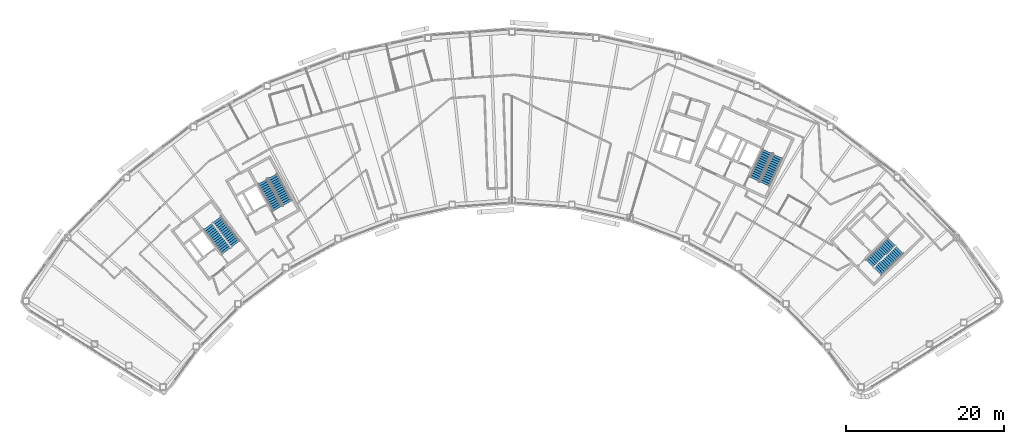
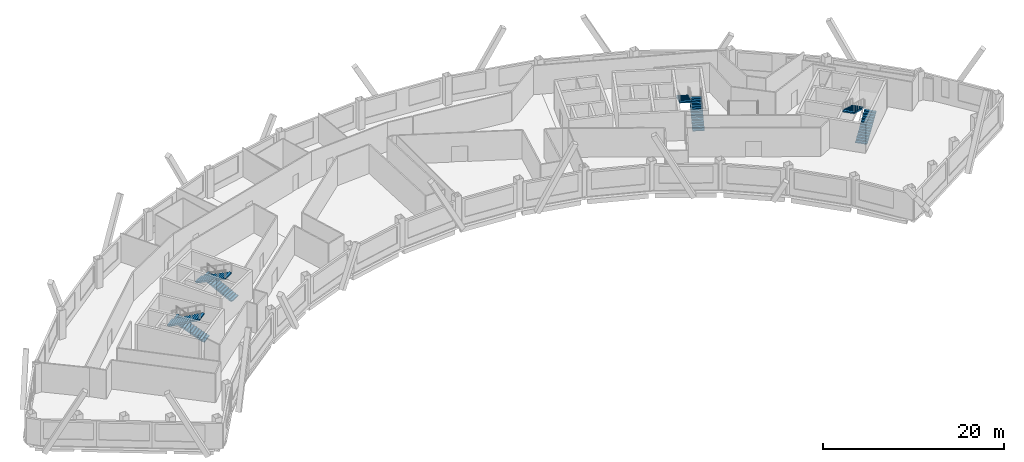
# One storey, part 10 of 12: 8 stair flights, 4 elements without a shape of their own.
"""IFC4 building model written with IfcOpenShell, lengths in metres."""

from ifc_helpers import new_model, si_unit, direction, frame, origin, place, context, subcontext, project, spatial, polyline, outline, extrude, material, type_object, element, aggregate, save


model = new_model("IFC4")

# Units and contexts
model_context = context("Model", 3, precision=1e-05, world=origin(), true_north=direction((0.0, 1.0)))
body_context = subcontext(model_context, "Body", "Model", "MODEL_VIEW")
ifc_project = project(units=[si_unit("LENGTHUNIT", "METRE"), si_unit("AREAUNIT", "SQUARE_METRE"), si_unit("VOLUMEUNIT", "CUBIC_METRE"), si_unit("PLANEANGLEUNIT", "RADIAN"), si_unit("MASSUNIT", "GRAM", prefix="KILO")], contexts=[model_context])

# Site, building, storey
site_placement = place(None, origin())
site = spatial("IfcSite", under=ifc_project, at=site_placement, CompositionType="ELEMENT")
building_placement = place(site_placement, origin())
building = spatial("IfcBuilding", under=site, at=building_placement, Name="Tuul Gate Civic Tower", CompositionType="ELEMENT")
storey_placement = place(building_placement, frame((0.0, 0.0, 336.5)))
storey = spatial("IfcBuildingStorey", under=building, at=storey_placement, Name="Level 76", CompositionType="ELEMENT", Elevation=336.5)

# Stair, stair flights
ifc_material_1 = material(Name="Concrete C40/50", Category="concrete")
stair_type = type_object("IfcStairType", Name="Exit stair", PredefinedType="HALF_TURN_STAIR", material=ifc_material_1)
stair_1_placement = place(storey_placement, origin())
stair_1 = element("IfcStair", 1, at=stair_1_placement, inside=storey, type_object=stair_type, Name="Level 76 ST-1", PredefinedType="HALF_TURN_STAIR")
ifc_material_2 = material(Name="Concrete C40/50", Category="concrete")
stair_flight_type = type_object("IfcStairFlightType", Name="Exit stair flight", PredefinedType="STRAIGHT", material=ifc_material_2)
stair_flight_1_placement = place(storey_placement, frame((-32.875244140625, -13.066650390625, 0.0), z_axis=(0.0, 0.0, 1.0), x_axis=(-0.605764474941, 0.795644016442, 0.0)))
stair_flight_1 = element("IfcStairFlight", 2, at=stair_flight_1_placement, type_object=stair_flight_type, Name="ST-1 flight 1", NumberOfRisers=14, NumberOfTreads=13, PredefinedType="STRAIGHT", RiserHeight=0.15, TreadLength=0.3, context=body_context, shape_type="SweptSolid", body=[
    extrude(outline(polyline([(0.0, 0.0), (0.0, 0.14990234375), (0.300048828125, 0.14990234375), (0.300048828125, 0.300048828125), (0.60009765625, 0.300048828125), (0.60009765625, 0.449951171875), (0.89990234375, 0.449951171875), (0.89990234375, 0.60009765625), (1.199951171875, 0.60009765625), (1.199951171875, 0.75), (1.5, 0.75), (1.5, 0.89990234375), (1.800048828125, 0.89990234375), (1.800048828125, 1.050048828125), (2.10009765625, 1.050048828125), (2.10009765625, 1.199951171875), (2.39990234375, 1.199951171875), (2.39990234375, 1.35009765625), (2.699951171875, 1.35009765625), (2.699951171875, 1.5), (3.0, 1.5), (3.0, 1.64990234375), (3.300048828125, 1.64990234375), (3.300048828125, 1.800048828125), (3.60009765625, 1.800048828125), (3.60009765625, 1.949951171875), (3.89990234375, 1.949951171875), (3.89990234375, 2.10009765625), (3.89990234375, 1.782470703125), (0.335205078125, 0.0), (0.0, 0.0)])), frame((0.0, 0.675048828125, 0.0), z_axis=(0.0, -1.0, 0.0), x_axis=(1.0, 0.0, 0.0)), (0.0, 0.0, 1.0), 1.35009765625),
])
stair_flight_2_placement = place(storey_placement, frame((-36.391357421875, -10.842041015625, 2.10009765625), z_axis=(0.0, 0.0, 1.0), x_axis=(0.605764474941, -0.795644016442, 0.0)))
stair_flight_2 = element("IfcStairFlight", 3, at=stair_flight_2_placement, type_object=stair_flight_type, Name="ST-1 flight 2", NumberOfRisers=14, NumberOfTreads=13, PredefinedType="STRAIGHT", RiserHeight=0.15, TreadLength=0.3, context=body_context, shape_type="SweptSolid", body=[
    extrude(outline(polyline([(0.0, 0.0), (0.0, 0.14990234375), (0.300048828125, 0.14990234375), (0.300048828125, 0.300048828125), (0.60009765625, 0.300048828125), (0.60009765625, 0.449951171875), (0.89990234375, 0.449951171875), (0.89990234375, 0.60009765625), (1.199951171875, 0.60009765625), (1.199951171875, 0.75), (1.5, 0.75), (1.5, 0.89990234375), (1.800048828125, 0.89990234375), (1.800048828125, 1.050048828125), (2.10009765625, 1.050048828125), (2.10009765625, 1.199951171875), (2.39990234375, 1.199951171875), (2.39990234375, 1.35009765625), (2.699951171875, 1.35009765625), (2.699951171875, 1.5), (3.0, 1.5), (3.0, 1.64990234375), (3.300048828125, 1.64990234375), (3.300048828125, 1.800048828125), (3.60009765625, 1.800048828125), (3.60009765625, 1.949951171875), (3.89990234375, 1.949951171875), (3.89990234375, 2.10009765625), (3.89990234375, 1.782470703125), (0.335205078125, 0.0), (0.0, 0.0)])), frame((0.0, 0.675048828125, 0.0), z_axis=(0.0, -1.0, 0.0), x_axis=(1.0, 0.0, 0.0)), (0.0, 0.0, 1.0), 1.35009765625),
])
aggregate(stair_1, [stair_flight_1, stair_flight_2])

stair_2_placement = place(storey_placement, origin())
stair_2 = element("IfcStair", 4, at=stair_2_placement, inside=storey, type_object=stair_type, Name="Level 76 ST-2", PredefinedType="HALF_TURN_STAIR")
stair_flight_3_placement = place(storey_placement, frame((-26.29150390625, -7.87646484375, 0.0), z_axis=(0.0, 0.0, 1.0), x_axis=(-0.484761763766, 0.874646232708, 0.0)))
stair_flight_3 = element("IfcStairFlight", 5, at=stair_flight_3_placement, type_object=stair_flight_type, Name="ST-2 flight 1", NumberOfRisers=14, NumberOfTreads=13, PredefinedType="STRAIGHT", RiserHeight=0.15, TreadLength=0.3, context=body_context, shape_type="SweptSolid", body=[
    extrude(outline(polyline([(0.0, 0.0), (0.0, 0.14990234375), (0.300048828125, 0.14990234375), (0.300048828125, 0.300048828125), (0.60009765625, 0.300048828125), (0.60009765625, 0.449951171875), (0.89990234375, 0.449951171875), (0.89990234375, 0.60009765625), (1.199951171875, 0.60009765625), (1.199951171875, 0.75), (1.5, 0.75), (1.5, 0.89990234375), (1.800048828125, 0.89990234375), (1.800048828125, 1.050048828125), (2.10009765625, 1.050048828125), (2.10009765625, 1.199951171875), (2.39990234375, 1.199951171875), (2.39990234375, 1.35009765625), (2.699951171875, 1.35009765625), (2.699951171875, 1.5), (3.0, 1.5), (3.0, 1.64990234375), (3.300048828125, 1.64990234375), (3.300048828125, 1.800048828125), (3.60009765625, 1.800048828125), (3.60009765625, 1.949951171875), (3.89990234375, 1.949951171875), (3.89990234375, 2.10009765625), (3.89990234375, 1.782470703125), (0.335205078125, 0.0), (0.0, 0.0)])), frame((0.0, 0.675048828125, 0.0), z_axis=(0.0, -1.0, 0.0), x_axis=(1.0, 0.0, 0.0)), (0.0, 0.0, 1.0), 1.35009765625),
])
stair_flight_4_placement = place(storey_placement, frame((-29.450439453125, -5.168212890625, 2.10009765625), z_axis=(0.0, 0.0, 1.0), x_axis=(0.484761763766, -0.874646232708, 0.0)))
stair_flight_4 = element("IfcStairFlight", 6, at=stair_flight_4_placement, type_object=stair_flight_type, Name="ST-2 flight 2", NumberOfRisers=14, NumberOfTreads=13, PredefinedType="STRAIGHT", RiserHeight=0.15, TreadLength=0.3, context=body_context, shape_type="SweptSolid", body=[
    extrude(outline(polyline([(0.0, 0.0), (0.0, 0.14990234375), (0.300048828125, 0.14990234375), (0.300048828125, 0.300048828125), (0.60009765625, 0.300048828125), (0.60009765625, 0.449951171875), (0.89990234375, 0.449951171875), (0.89990234375, 0.60009765625), (1.199951171875, 0.60009765625), (1.199951171875, 0.75), (1.5, 0.75), (1.5, 0.89990234375), (1.800048828125, 0.89990234375), (1.800048828125, 1.050048828125), (2.10009765625, 1.050048828125), (2.10009765625, 1.199951171875), (2.39990234375, 1.199951171875), (2.39990234375, 1.35009765625), (2.699951171875, 1.35009765625), (2.699951171875, 1.5), (3.0, 1.5), (3.0, 1.64990234375), (3.300048828125, 1.64990234375), (3.300048828125, 1.800048828125), (3.60009765625, 1.800048828125), (3.60009765625, 1.949951171875), (3.89990234375, 1.949951171875), (3.89990234375, 2.10009765625), (3.89990234375, 1.782470703125), (0.335205078125, 0.0), (0.0, 0.0)])), frame((0.0, 0.675048828125, 0.0), z_axis=(0.0, -1.0, 0.0), x_axis=(1.0, 0.0, 0.0)), (0.0, 0.0, 1.0), 1.35009765625),
])
aggregate(stair_2, [stair_flight_3, stair_flight_4])

stair_3_placement = place(storey_placement, origin())
stair_3 = element("IfcStair", 7, at=stair_3_placement, inside=storey, type_object=stair_type, Name="Level 76 ST-3", PredefinedType="HALF_TURN_STAIR")
stair_flight_5_placement = place(storey_placement, frame((48.61376953125, -16.581787109375, 0.0), z_axis=(0.0, 0.0, 1.0), x_axis=(0.714127290059, 0.700015866672, 0.0)))
stair_flight_5 = element("IfcStairFlight", 8, at=stair_flight_5_placement, type_object=stair_flight_type, Name="ST-3 flight 1", NumberOfRisers=14, NumberOfTreads=13, PredefinedType="STRAIGHT", RiserHeight=0.15, TreadLength=0.3, context=body_context, shape_type="SweptSolid", body=[
    extrude(outline(polyline([(0.0, 0.0), (0.0, 0.14990234375), (0.300048828125, 0.14990234375), (0.300048828125, 0.300048828125), (0.60009765625, 0.300048828125), (0.60009765625, 0.449951171875), (0.89990234375, 0.449951171875), (0.89990234375, 0.60009765625), (1.199951171875, 0.60009765625), (1.199951171875, 0.75), (1.5, 0.75), (1.5, 0.89990234375), (1.800048828125, 0.89990234375), (1.800048828125, 1.050048828125), (2.10009765625, 1.050048828125), (2.10009765625, 1.199951171875), (2.39990234375, 1.199951171875), (2.39990234375, 1.35009765625), (2.699951171875, 1.35009765625), (2.699951171875, 1.5), (3.0, 1.5), (3.0, 1.64990234375), (3.300048828125, 1.64990234375), (3.300048828125, 1.800048828125), (3.60009765625, 1.800048828125), (3.60009765625, 1.949951171875), (3.89990234375, 1.949951171875), (3.89990234375, 2.10009765625), (3.89990234375, 1.782470703125), (0.335205078125, 0.0), (0.0, 0.0)])), frame((0.0, 0.675048828125, 0.0), z_axis=(0.0, -1.0, 0.0), x_axis=(1.0, 0.0, 0.0)), (0.0, 0.0, 1.0), 1.35009765625),
])
stair_flight_6_placement = place(storey_placement, frame((50.3837890625, -12.816162109375, 2.10009765625), z_axis=(0.0, 0.0, 1.0), x_axis=(-0.714127290059, -0.700015866672, 0.0)))
stair_flight_6 = element("IfcStairFlight", 9, at=stair_flight_6_placement, type_object=stair_flight_type, Name="ST-3 flight 2", NumberOfRisers=14, NumberOfTreads=13, PredefinedType="STRAIGHT", RiserHeight=0.15, TreadLength=0.3, context=body_context, shape_type="SweptSolid", body=[
    extrude(outline(polyline([(0.0, 0.0), (0.0, 0.14990234375), (0.300048828125, 0.14990234375), (0.300048828125, 0.300048828125), (0.60009765625, 0.300048828125), (0.60009765625, 0.449951171875), (0.89990234375, 0.449951171875), (0.89990234375, 0.60009765625), (1.199951171875, 0.60009765625), (1.199951171875, 0.75), (1.5, 0.75), (1.5, 0.89990234375), (1.800048828125, 0.89990234375), (1.800048828125, 1.050048828125), (2.10009765625, 1.050048828125), (2.10009765625, 1.199951171875), (2.39990234375, 1.199951171875), (2.39990234375, 1.35009765625), (2.699951171875, 1.35009765625), (2.699951171875, 1.5), (3.0, 1.5), (3.0, 1.64990234375), (3.300048828125, 1.64990234375), (3.300048828125, 1.800048828125), (3.60009765625, 1.800048828125), (3.60009765625, 1.949951171875), (3.89990234375, 1.949951171875), (3.89990234375, 2.10009765625), (3.89990234375, 1.782470703125), (0.335205078125, 0.0), (0.0, 0.0)])), frame((0.0, 0.675048828125, 0.0), z_axis=(0.0, -1.0, 0.0), x_axis=(1.0, 0.0, 0.0)), (0.0, 0.0, 1.0), 1.35009765625),
])
aggregate(stair_3, [stair_flight_5, stair_flight_6])

stair_4_placement = place(storey_placement, origin())
stair_4 = element("IfcStair", 10, at=stair_4_placement, inside=storey, type_object=stair_type, Name="Level 76 ST-4", PredefinedType="HALF_TURN_STAIR")
stair_flight_7_placement = place(storey_placement, frame((34.278564453125, -5.478515625, 0.0), z_axis=(0.0, 0.0, 1.0), x_axis=(0.422576295988, 0.906327354806, 0.0)))
stair_flight_7 = element("IfcStairFlight", 11, at=stair_flight_7_placement, type_object=stair_flight_type, Name="ST-4 flight 1", NumberOfRisers=14, NumberOfTreads=13, PredefinedType="STRAIGHT", RiserHeight=0.15, TreadLength=0.3, context=body_context, shape_type="SweptSolid", body=[
    extrude(outline(polyline([(0.0, 0.0), (0.0, 0.14990234375), (0.300048828125, 0.14990234375), (0.300048828125, 0.300048828125), (0.60009765625, 0.300048828125), (0.60009765625, 0.449951171875), (0.89990234375, 0.449951171875), (0.89990234375, 0.60009765625), (1.199951171875, 0.60009765625), (1.199951171875, 0.75), (1.5, 0.75), (1.5, 0.89990234375), (1.800048828125, 0.89990234375), (1.800048828125, 1.050048828125), (2.10009765625, 1.050048828125), (2.10009765625, 1.199951171875), (2.39990234375, 1.199951171875), (2.39990234375, 1.35009765625), (2.699951171875, 1.35009765625), (2.699951171875, 1.5), (3.0, 1.5), (3.0, 1.64990234375), (3.300048828125, 1.64990234375), (3.300048828125, 1.800048828125), (3.60009765625, 1.800048828125), (3.60009765625, 1.949951171875), (3.89990234375, 1.949951171875), (3.89990234375, 2.10009765625), (3.89990234375, 1.782470703125), (0.335205078125, 0.0), (0.0, 0.0)])), frame((0.0, 0.675048828125, 0.0), z_axis=(0.0, -1.0, 0.0), x_axis=(1.0, 0.0, 0.0)), (0.0, 0.0, 1.0), 1.35009765625),
])
stair_flight_8_placement = place(storey_placement, frame((34.612548828125, -1.3310546875, 2.10009765625), z_axis=(0.0, 0.0, 1.0), x_axis=(-0.422576295988, -0.906327354806, 0.0)))
stair_flight_8 = element("IfcStairFlight", 12, at=stair_flight_8_placement, type_object=stair_flight_type, Name="ST-4 flight 2", NumberOfRisers=14, NumberOfTreads=13, PredefinedType="STRAIGHT", RiserHeight=0.15, TreadLength=0.3, context=body_context, shape_type="SweptSolid", body=[
    extrude(outline(polyline([(0.0, 0.0), (0.0, 0.14990234375), (0.300048828125, 0.14990234375), (0.300048828125, 0.300048828125), (0.60009765625, 0.300048828125), (0.60009765625, 0.449951171875), (0.89990234375, 0.449951171875), (0.89990234375, 0.60009765625), (1.199951171875, 0.60009765625), (1.199951171875, 0.75), (1.5, 0.75), (1.5, 0.89990234375), (1.800048828125, 0.89990234375), (1.800048828125, 1.050048828125), (2.10009765625, 1.050048828125), (2.10009765625, 1.199951171875), (2.39990234375, 1.199951171875), (2.39990234375, 1.35009765625), (2.699951171875, 1.35009765625), (2.699951171875, 1.5), (3.0, 1.5), (3.0, 1.64990234375), (3.300048828125, 1.64990234375), (3.300048828125, 1.800048828125), (3.60009765625, 1.800048828125), (3.60009765625, 1.949951171875), (3.89990234375, 1.949951171875), (3.89990234375, 2.10009765625), (3.89990234375, 1.782470703125), (0.335205078125, 0.0), (0.0, 0.0)])), frame((0.0, 0.675048828125, 0.0), z_axis=(0.0, -1.0, 0.0), x_axis=(1.0, 0.0, 0.0)), (0.0, 0.0, 1.0), 1.35009765625),
])
aggregate(stair_4, [stair_flight_7, stair_flight_8])

save(model, "model.ifc")
